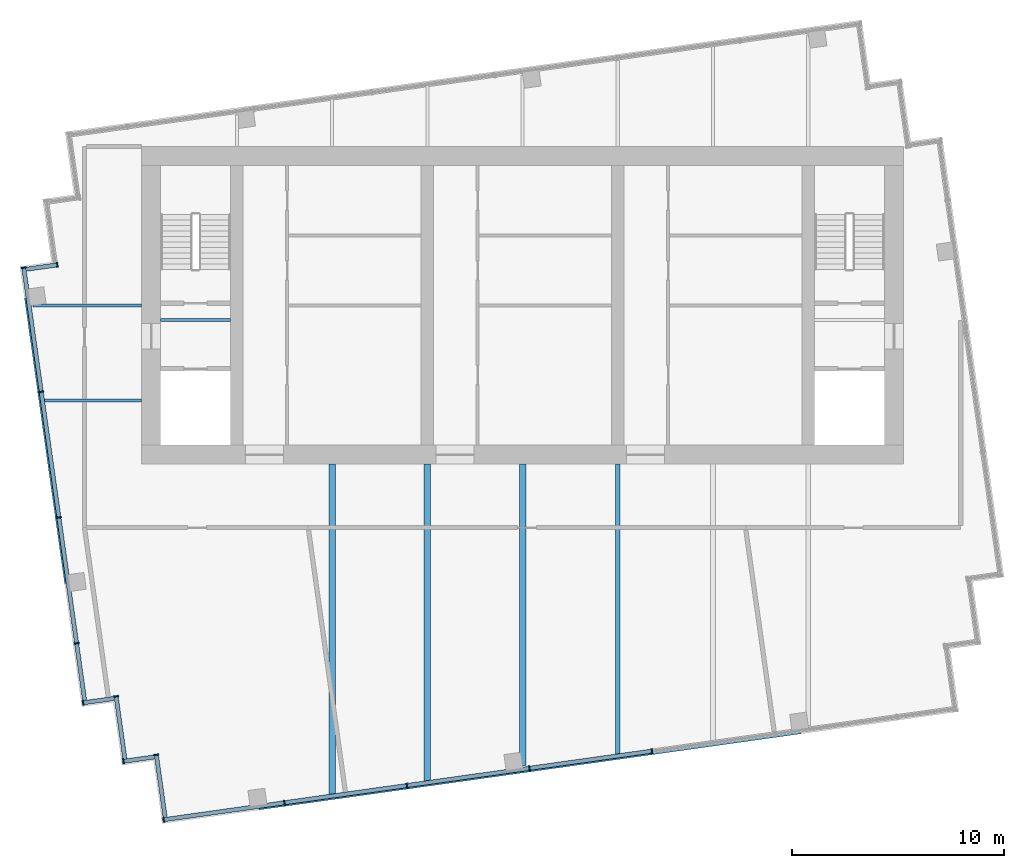
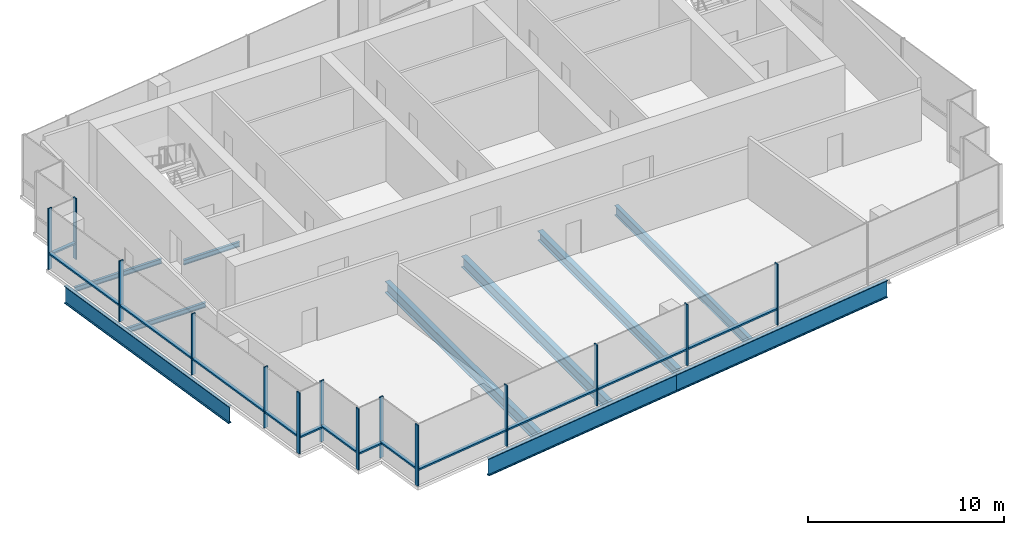
# One storey, part 2 of 9: 27 members, 10 beams, 7 elements without a shape of their own.
"""IFC4 building model written with IfcOpenShell, lengths in metres."""

import ifcopenshell
import ifcopenshell.guid

model = None  # the IFC model being written
_history = None  # IfcOwnerHistory: only IFC2X3 demands one
_inside = {}  # id of a spatial element -> (the spatial element, [elements in it])
_under = {}  # id of a project, library or spatial element -> (it, [spatial elements below it])
_declared = {}  # id of a project -> (the project, [libraries it declares])
_typed = {}  # id of a type object -> (the type object, [elements of that type])
_made_of = {}  # id of a material, layer set ... -> (it, [elements and type objects made of it])


def new_model(schema):
    """Start an empty IFC model of exactly this schema.

    Asked for "IFC4X3", IfcOpenShell would pick the latest addendum, in which some entities
    have other attributes; the version numbers below select the first issue.
    IFC2X3 requires an IfcOwnerHistory on every rooted entity: one is made here for all.
    """
    global model, _history
    if schema == "IFC4X3":
        model = ifcopenshell.file(schema_version=(4, 3, 0, 0))
    else:
        model = ifcopenshell.file(schema=schema)
    _inside.clear()
    _under.clear()
    _declared.clear()
    _typed.clear()
    _made_of.clear()
    _history = None
    if model.schema == "IFC2X3":
        org = make("IfcOrganization", Name="unknown")
        user = make(
            "IfcPersonAndOrganization",
            ThePerson=make("IfcPerson", FamilyName="unknown"),
            TheOrganization=org,
        )
        app = make(
            "IfcApplication",
            ApplicationDeveloper=org,
            Version="unknown",
            ApplicationFullName="unknown",
            ApplicationIdentifier="unknown",
        )
        _history = make(
            "IfcOwnerHistory",
            OwningUser=user,
            OwningApplication=app,
            ChangeAction="ADDED",
            CreationDate=0,
        )
    return model


def make(cls, **values):
    """One entity of the class cls with the attributes given. An attribute that is None is left unset."""
    return model.create_entity(
        cls, **{name: value for name, value in values.items() if value is not None}
    )


def rooted(cls, **values):
    """An entity with a GlobalId (a new one), such as an element, a storey or a relation."""
    return make(cls, GlobalId=ifcopenshell.guid.new(), OwnerHistory=_history, **values)


def si_unit(unit_type, name, prefix=None):
    """IfcSIUnit, for example si_unit("LENGTHUNIT", "METRE", prefix="MILLI")."""
    return make("IfcSIUnit", UnitType=unit_type, Prefix=prefix, Name=name)


def assignment(units):
    """IfcUnitAssignment: the units of a project."""
    return None if units is None else make("IfcUnitAssignment", Units=units)


def point(xyz):
    """IfcCartesianPoint."""
    return None if xyz is None else make("IfcCartesianPoint", Coordinates=xyz)


def direction(xyz):
    """IfcDirection."""
    return None if xyz is None else make("IfcDirection", DirectionRatios=xyz)


def frame(location, z_axis=None, x_axis=None):
    """IfcAxis2Placement3D, a coordinate frame: its origin and axes. An axis left out is left unset."""
    return make(
        "IfcAxis2Placement3D",
        Location=point(location),
        Axis=direction(z_axis),
        RefDirection=direction(x_axis),
    )


def frame_2d(location, x_axis=None):
    """IfcAxis2Placement2D, a coordinate frame in the plane: its origin and x axis."""
    return make(
        "IfcAxis2Placement2D", Location=point(location), RefDirection=direction(x_axis)
    )


def origin():
    """The frame at (0, 0, 0) with its axes left unset."""
    return frame((0.0, 0.0, 0.0))


def origin_2d():
    """The frame at (0, 0) in the plane with its x axis left unset."""
    return frame_2d((0.0, 0.0))


def place(relative_to, where):
    """IfcLocalPlacement: puts the frame where relative to a parent placement (None: the world)."""
    return make(
        "IfcLocalPlacement", PlacementRelTo=relative_to, RelativePlacement=where
    )


def context(
    kind, dimensions, precision=None, world=None, true_north=None, identifier=None
):
    """IfcGeometricRepresentationContext, for example the 3D "Model" context."""
    return make(
        "IfcGeometricRepresentationContext",
        ContextIdentifier=identifier,
        ContextType=kind,
        CoordinateSpaceDimension=dimensions,
        Precision=precision,
        WorldCoordinateSystem=world,
        TrueNorth=true_north,
    )


def subcontext(parent, identifier, kind, view, scale=None):
    """IfcGeometricRepresentationSubContext, for example "Body" below "Model"."""
    return make(
        "IfcGeometricRepresentationSubContext",
        ContextIdentifier=identifier,
        ContextType=kind,
        ParentContext=parent,
        TargetScale=scale,
        TargetView=view,
    )


def project(units=None, contexts=None):
    """IfcProject with its units and contexts."""
    return rooted(
        "IfcProject",
        Name="project",
        RepresentationContexts=contexts,
        UnitsInContext=assignment(units),
    )


def spatial(cls, under=None, at=None, **own):
    """A site, building, storey or space (cls), placed at a placement, below another one or the project."""
    s = rooted(cls, ObjectPlacement=at, **own)
    if under is not None:
        _under.setdefault(under.id(), (under, []))[1].append(s)
    return s


def profile(cls, at=None, kind="AREA", **sizes):
    """A parametric profile (cls). Its sizes go by their IFC names, for example OverallWidth=200.0."""
    return make(cls, ProfileType=kind, Position=at, **sizes)


def rectangle(**sizes):
    """IfcRectangleProfileDef."""
    return profile("IfcRectangleProfileDef", **sizes)


def i_section(**sizes):
    """IfcIShapeProfileDef."""
    return profile("IfcIShapeProfileDef", **sizes)


def extrude(swept, where, along, depth):
    """IfcExtrudedAreaSolid: the profile swept, set in the frame where, extruded along a direction by depth."""
    return make(
        "IfcExtrudedAreaSolid",
        SweptArea=swept,
        Position=where,
        ExtrudedDirection=direction(along),
        Depth=depth,
    )


def shape(context_of_items, identifier, shape_type, items):
    """IfcShapeRepresentation: the items that make up one representation, for example the "Body"."""
    return make(
        "IfcShapeRepresentation",
        ContextOfItems=context_of_items,
        RepresentationIdentifier=identifier,
        RepresentationType=shape_type,
        Items=items,
    )


def material(Name=None, Category=None):
    """IfcMaterial."""
    return make("IfcMaterial", Name=Name, Category=Category)


def layer(
    of_material, thickness, ventilated=None, Name=None, Category=None, Priority=None
):
    """IfcMaterialLayer: one layer of a wall or slab, of a material (None: an air gap)."""
    return make(
        "IfcMaterialLayer",
        Material=of_material,
        LayerThickness=thickness,
        IsVentilated=ventilated,
        Name=Name,
        Category=Category,
        Priority=Priority,
    )


def layer_set(layers, Name=None):
    """IfcMaterialLayerSet."""
    return make("IfcMaterialLayerSet", MaterialLayers=layers, LayerSetName=Name)


def material_profile(
    of_material, cross_section, Name=None, Category=None, Priority=None
):
    """IfcMaterialProfile: a cross section and its material."""
    return make(
        "IfcMaterialProfile",
        Name=Name,
        Material=of_material,
        Profile=cross_section,
        Priority=Priority,
        Category=Category,
    )


def profile_set(profiles, Name=None, composite=None):
    """IfcMaterialProfileSet."""
    return make(
        "IfcMaterialProfileSet",
        Name=Name,
        MaterialProfiles=profiles,
        CompositeProfile=composite,
    )


def made_of(thing, what):
    """Note that an element or type object is made of a material, layer set ...; save() writes the relation."""
    if what is not None:
        _made_of.setdefault(what.id(), (what, []))[1].append(thing)
    return thing


def type_object(cls, material=None, **own):
    """A type object (cls), such as IfcWallType, which elements share."""
    return made_of(rooted(cls, **own), material)


def element(
    cls,
    number,
    at=None,
    inside=None,
    cuts=None,
    type_object=None,
    material=None,
    context=None,
    identifier="Body",
    shape_type=None,
    held_by="IfcProductDefinitionShape",
    body=None,
    shapes=None,
    **own,
):
    """One element of the class cls, such as IfcWall. Its Tag is "e" and its number.

    at: its placement. inside: the storey or other place that contains it. cuts: it is an
    opening in that element (IfcRelVoidsElement). A single representation is given by context,
    identifier, shape_type and body (its items); several are given by shapes. held_by: the class
    of the entity that holds the representations. save() writes the other relations.
    """
    e = rooted(cls, Tag="e%d" % number, ObjectPlacement=at, **own)
    if body is not None:
        shapes = [shape(context, identifier, shape_type, body)]
    if shapes is not None:
        e.Representation = make(held_by, Representations=shapes)
    if inside is not None:
        _inside.setdefault(inside.id(), (inside, []))[1].append(e)
    if cuts is not None:
        rooted(
            "IfcRelVoidsElement", RelatingBuildingElement=cuts, RelatedOpeningElement=e
        )
    if type_object is not None:
        _typed.setdefault(type_object.id(), (type_object, []))[1].append(e)
    return made_of(e, material)


def aggregate(whole, parts):
    """IfcRelAggregates: a whole, such as a stair, and the parts it consists of."""
    return rooted("IfcRelAggregates", RelatingObject=whole, RelatedObjects=parts)


def save(model, path):
    """Write the relations noted so far, then the file.

    IfcRelAggregates (storeys below a building ...), IfcRelContainedInSpatialStructure (elements
    in a storey), IfcRelDefinesByType, IfcRelAssociatesMaterial and IfcRelDeclares: one each for
    every whole, place, type object, material and project.
    """
    for whole, parts in _under.values():
        aggregate(whole, parts)
    for where, things in _inside.values():
        rooted(
            "IfcRelContainedInSpatialStructure",
            RelatedElements=things,
            RelatingStructure=where,
        )
    for kind, things in _typed.values():
        rooted("IfcRelDefinesByType", RelatedObjects=things, RelatingType=kind)
    for what, things in _made_of.values():
        rooted("IfcRelAssociatesMaterial", RelatedObjects=things, RelatingMaterial=what)
    for by, libraries in _declared.values():
        rooted("IfcRelDeclares", RelatingContext=by, RelatedDefinitions=libraries)
    model.write(path)


model = new_model("IFC4")

# Units and contexts
model_context = context("Model", 3, precision=1e-05, world=origin(), true_north=direction((0.0, 1.0)))
body_context = subcontext(model_context, "Body", "Model", "MODEL_VIEW")
ifc_project = project(units=[si_unit("LENGTHUNIT", "METRE"), si_unit("AREAUNIT", "SQUARE_METRE"), si_unit("VOLUMEUNIT", "CUBIC_METRE"), si_unit("PLANEANGLEUNIT", "RADIAN"), si_unit("MASSUNIT", "GRAM", prefix="KILO")], contexts=[model_context])

# Site, building, storey
site_placement = place(None, origin())
site = spatial("IfcSite", under=ifc_project, at=site_placement, CompositionType="ELEMENT")
building_placement = place(site_placement, origin())
building = spatial("IfcBuilding", under=site, at=building_placement, Name="Rattan Terrace Tower", CompositionType="ELEMENT")
storey_placement = place(building_placement, frame((0.0, 0.0, 304.300048828125)))
storey = spatial("IfcBuildingStorey", under=building, at=storey_placement, Name="C04", CompositionType="ELEMENT", Elevation=304.300048828125)

# Beams
ifc_material_1 = material(Name="Steel S460", Category="steel")
ifc_material_profile_1 = material_profile(ifc_material_1, i_section(OverallWidth=0.179931640625, OverallDepth=1.10009765625, WebThickness=0.01611328125, FlangeThickness=0.050048828125, at=origin_2d()), Name="PG 1100x180-16-50")
ifc_profile_set_1 = profile_set([ifc_material_profile_1], Name="Steel S460")
beam_type_1 = type_object("IfcBeamType", Name="Frame edge girder PG 1100x180-16-50", PredefinedType="SPANDREL", material=ifc_profile_set_1)
beam_1_placement = place(storey_placement, frame((-12.45703125, -23.7509765625, -0.75), z_axis=(0.990268332234, 0.139171226104, 0.0), x_axis=(-0.139171226104, 0.990268332234, 0.0)))
element("IfcBeam", 1, at=beam_1_placement, inside=storey, type_object=beam_type_1, Name="gdr-C04-001", PredefinedType="SPANDREL", context=body_context, shape_type="SweptSolid", body=[
    extrude(i_section(OverallWidth=0.179931640625, OverallDepth=1.10009765625, WebThickness=0.01611328125, FlangeThickness=0.050048828125, at=origin_2d()), origin(), (0.0, 0.0, 1.0), 12.21484375),
])
beam_2_placement = place(storey_placement, frame((-0.361083984375, -22.051025390625, -0.75), z_axis=(0.990271390556, 0.139149462974, 0.0), x_axis=(-0.139149462974, 0.990271390556, 0.0)))
element("IfcBeam", 2, at=beam_2_placement, inside=storey, type_object=beam_type_1, Name="gdr-C04-002", PredefinedType="SPANDREL", context=body_context, shape_type="SweptSolid", body=[
    extrude(i_section(OverallWidth=0.179931640625, OverallDepth=1.10009765625, WebThickness=0.01611328125, FlangeThickness=0.050048828125, at=origin_2d()), origin(), (0.0, 0.0, 1.0), 13.632568359375),
])
beam_3_placement = place(storey_placement, frame((-23.448974609375, 0.361083984375, -0.75), z_axis=(0.139219709116, -0.990261517274, 0.0), x_axis=(0.990261517274, 0.139219709116, 0.0)))
element("IfcBeam", 3, at=beam_3_placement, inside=storey, type_object=beam_type_1, Name="gdr-C04-003", PredefinedType="SPANDREL", context=body_context, shape_type="SweptSolid", body=[
    extrude(i_section(OverallWidth=0.179931640625, OverallDepth=1.10009765625, WebThickness=0.01611328125, FlangeThickness=0.050048828125, at=origin_2d()), origin(), (0.0, 0.0, 1.0), 13.6328125),
])
ifc_material_2 = material(Name="Steel S355", Category="steel")
ifc_material_profile_2 = material_profile(ifc_material_2, i_section(OverallWidth=0.300048828125, OverallDepth=0.60009765625, WebThickness=0.015380859375, FlangeThickness=0.030029296875, FilletRadius=0.027099609375, at=origin_2d()), Name="HE 600 B")
ifc_profile_set_2 = profile_set([ifc_material_profile_2], Name="Steel S355")
beam_type_2 = type_object("IfcBeamType", Name="Frame floor beam HE 600 B", PredefinedType="JOIST", material=ifc_profile_set_2)
beam_4_placement = place(storey_placement, frame((0.0, -21.743896484375, -0.5), z_axis=(0.0, 1.0, 0.0), x_axis=(-1.0, 0.0, 0.0)))
element("IfcBeam", 4, at=beam_4_placement, inside=storey, type_object=beam_type_2, Name="bm-C04-005", PredefinedType="JOIST", context=body_context, shape_type="SweptSolid", body=[
    extrude(i_section(OverallWidth=0.300048828125, OverallDepth=0.60009765625, WebThickness=0.015380859375, FlangeThickness=0.030029296875, FilletRadius=0.027099609375, at=origin_2d()), origin(), (0.0, 0.0, 1.0), 14.243896484375),
])
ifc_material_3 = material(Name="Steel S355", Category="steel")
ifc_material_profile_3 = material_profile(ifc_material_3, i_section(OverallWidth=0.300048828125, OverallDepth=0.699951171875, WebThickness=0.01708984375, FlangeThickness=0.031982421875, FilletRadius=0.027099609375, at=origin_2d()), Name="HE 700 B")
ifc_profile_set_3 = profile_set([ifc_material_profile_3], Name="Steel S355")
beam_type_3 = type_object("IfcBeamType", Name="Frame floor beam HE 700 B", PredefinedType="JOIST", material=ifc_profile_set_3)
beam_5_placement = place(storey_placement, frame((-9.0, -23.174072265625, -0.550048828125), z_axis=(0.0, 1.0, 0.0), x_axis=(-1.0, 0.0, 0.0)))
element("IfcBeam", 5, at=beam_5_placement, inside=storey, type_object=beam_type_3, Name="bm-C04-003", PredefinedType="JOIST", context=body_context, shape_type="SweptSolid", body=[
    extrude(i_section(OverallWidth=0.300048828125, OverallDepth=0.699951171875, WebThickness=0.01708984375, FlangeThickness=0.031982421875, FilletRadius=0.027099609375, at=origin_2d()), origin(), (0.0, 0.0, 1.0), 15.674072265625),
])
beam_6_placement = place(storey_placement, frame((-4.5, -22.5419921875, -0.550048828125), z_axis=(0.0, 1.0, 0.0), x_axis=(-1.0, 0.0, 0.0)))
element("IfcBeam", 6, at=beam_6_placement, inside=storey, type_object=beam_type_3, Name="bm-C04-004", PredefinedType="JOIST", context=body_context, shape_type="SweptSolid", body=[
    extrude(i_section(OverallWidth=0.300048828125, OverallDepth=0.699951171875, WebThickness=0.01708984375, FlangeThickness=0.031982421875, FilletRadius=0.027099609375, at=origin_2d()), origin(), (0.0, 0.0, 1.0), 15.0419921875),
])
ifc_material_4 = material(Name="Steel S355", Category="steel")
ifc_material_profile_4 = material_profile(ifc_material_4, i_section(OverallWidth=0.14990234375, OverallDepth=0.300048828125, WebThickness=0.007080078125, FlangeThickness=0.0107421875, FilletRadius=0.014892578125, at=origin_2d()), Name="IPE 300")
ifc_profile_set_4 = profile_set([ifc_material_profile_4], Name="Steel S355")
beam_type_4 = type_object("IfcBeamType", Name="Frame floor beam IPE 300", PredefinedType="JOIST", material=ifc_profile_set_4)
beam_7_placement = place(storey_placement, frame((-17.10009765625, -0.695068359375, -0.35009765625), z_axis=(1.0, 0.0, 0.0), x_axis=(0.0, 1.0, 0.0)))
element("IfcBeam", 7, at=beam_7_placement, inside=storey, type_object=beam_type_4, Name="bm-C04-001", PredefinedType="JOIST", context=body_context, shape_type="SweptSolid", body=[
    extrude(i_section(OverallWidth=0.14990234375, OverallDepth=0.300048828125, WebThickness=0.007080078125, FlangeThickness=0.0107421875, FilletRadius=0.014892578125, at=origin_2d()), origin(), (0.0, 0.0, 1.0), 3.300048828125),
])
beam_8_placement = place(storey_placement, frame((-22.675048828125, -4.5, -0.35009765625), z_axis=(1.0, 0.0, 0.0), x_axis=(0.0, 1.0, 0.0)))
element("IfcBeam", 8, at=beam_8_placement, inside=storey, type_object=beam_type_4, Name="bm-C04-009", PredefinedType="JOIST", context=body_context, shape_type="SweptSolid", body=[
    extrude(i_section(OverallWidth=0.14990234375, OverallDepth=0.300048828125, WebThickness=0.007080078125, FlangeThickness=0.0107421875, FilletRadius=0.014892578125, at=origin_2d()), origin(), (0.0, 0.0, 1.0), 4.675048828125),
])
beam_9_placement = place(storey_placement, frame((-23.14111328125, 0.0, -0.35009765625), z_axis=(1.0, 0.0, 0.0), x_axis=(0.0, 1.0, 0.0)))
element("IfcBeam", 9, at=beam_9_placement, inside=storey, type_object=beam_type_4, Name="bm-C04-010", PredefinedType="JOIST", context=body_context, shape_type="SweptSolid", body=[
    extrude(i_section(OverallWidth=0.14990234375, OverallDepth=0.300048828125, WebThickness=0.007080078125, FlangeThickness=0.0107421875, FilletRadius=0.014892578125, at=origin_2d()), origin(), (0.0, 0.0, 1.0), 5.14111328125),
])
ifc_material_5 = material(Name="Steel S355", Category="steel")
ifc_material_profile_5 = material_profile(ifc_material_5, i_section(OverallWidth=0.22412109375, OverallDepth=0.610107421875, WebThickness=0.014892578125, FlangeThickness=0.02392578125, FilletRadius=0.02392578125, at=origin_2d()), Name="IPE O 600")
ifc_profile_set_5 = profile_set([ifc_material_profile_5], Name="Steel S355")
beam_type_5 = type_object("IfcBeamType", Name="Frame floor beam IPE O 600", PredefinedType="JOIST", material=ifc_profile_set_5)
beam_10_placement = place(storey_placement, frame((4.5, -21.277099609375, -0.505126953125), z_axis=(0.0, 1.0, 0.0), x_axis=(-1.0, 0.0, 0.0)))
element("IfcBeam", 10, at=beam_10_placement, inside=storey, type_object=beam_type_5, Name="bm-C04-006", PredefinedType="JOIST", context=body_context, shape_type="SweptSolid", body=[
    extrude(i_section(OverallWidth=0.22412109375, OverallDepth=0.610107421875, WebThickness=0.014892578125, FlangeThickness=0.02392578125, FilletRadius=0.02392578125, at=origin_2d()), origin(), (0.0, 0.0, 1.0), 13.777099609375),
])

# Curtain wall, members
ifc_material_6 = material(Name="Aluminium and laminated glass", Category="aluminium")
ifc_layer = layer(ifc_material_6, 0.239990234375)
ifc_layer_set = layer_set([ifc_layer], Name="Lantern Stick Curtain Wall")
curtain_wall_type = type_object("IfcCurtainWallType", Name="Lantern Stick Curtain Wall", PredefinedType="NOTDEFINED", material=ifc_layer_set)
curtain_wall_1_placement = place(storey_placement, origin())
curtain_wall_1 = element("IfcCurtainWall", 11, at=curtain_wall_1_placement, inside=storey, type_object=curtain_wall_type, Name="Lantern curtain wall C04-1", PredefinedType="NOTDEFINED")
ifc_material_7 = material(Name="Aluminium", Category="aluminium")
ifc_material_profile_6 = material_profile(ifc_material_7, rectangle(XDim=0.070068359375, YDim=0.239990234375, at=origin_2d()), Name="Aluminium 70x240")
ifc_profile_set_6 = profile_set([ifc_material_profile_6], Name="Aluminium")
member_type_1 = type_object("IfcMemberType", Name="Lantern CW Mullion 70x240", PredefinedType="MULLION", material=ifc_profile_set_6)
member_1_placement = place(storey_placement, frame((-23.56689453125, 1.776611328125, 0.0), z_axis=(0.0, 0.0, 1.0), x_axis=(0.139187707455, -0.990266015823, 0.0)))
member_1 = element("IfcMember", 12, at=member_1_placement, type_object=member_type_1, Name="Mullion cwl-C04-001.1", PredefinedType="MULLION", context=body_context, shape_type="SweptSolid", body=[
    extrude(rectangle(XDim=0.070068359375, YDim=0.239990234375, at=origin_2d()), origin(), (0.0, 0.0, 1.0), 3.800048828125),
])
member_2_placement = place(storey_placement, frame((-22.74365234375, -4.080810546875, 0.0), z_axis=(0.0, 0.0, 1.0), x_axis=(0.139187707455, -0.990266015823, 0.0)))
member_2 = element("IfcMember", 13, at=member_2_placement, type_object=member_type_1, Name="Mullion cwl-C04-001.2", PredefinedType="MULLION", context=body_context, shape_type="SweptSolid", body=[
    extrude(rectangle(XDim=0.070068359375, YDim=0.239990234375, at=origin_2d()), origin(), (0.0, 0.0, 1.0), 3.800048828125),
])
member_3_placement = place(storey_placement, frame((-21.908447265625, -10.0224609375, 0.0), z_axis=(0.0, 0.0, 1.0), x_axis=(0.139187707455, -0.990266015823, 0.0)))
member_3 = element("IfcMember", 14, at=member_3_placement, type_object=member_type_1, Name="Mullion cwl-C04-001.3", PredefinedType="MULLION", context=body_context, shape_type="SweptSolid", body=[
    extrude(rectangle(XDim=0.070068359375, YDim=0.239990234375, at=origin_2d()), origin(), (0.0, 0.0, 1.0), 3.800048828125),
])
member_4_placement = place(storey_placement, frame((-21.0732421875, -15.964111328125, 0.0), z_axis=(0.0, 0.0, 1.0), x_axis=(0.139187707455, -0.990266015823, 0.0)))
member_4 = element("IfcMember", 15, at=member_4_placement, type_object=member_type_1, Name="Mullion cwl-C04-001.4", PredefinedType="MULLION", context=body_context, shape_type="SweptSolid", body=[
    extrude(rectangle(XDim=0.070068359375, YDim=0.239990234375, at=origin_2d()), origin(), (0.0, 0.0, 1.0), 3.800048828125),
])

# Curtain wall, member
curtain_wall_2_placement = place(storey_placement, origin())
curtain_wall_2 = element("IfcCurtainWall", 16, at=curtain_wall_2_placement, inside=storey, type_object=curtain_wall_type, Name="Lantern curtain wall C04-2", PredefinedType="NOTDEFINED")
member_5_placement = place(storey_placement, frame((-20.763427734375, -18.77880859375, 0.0), z_axis=(0.0, 0.0, 1.0), x_axis=(0.990227803001, 0.139459306479, 0.0)))
member_5 = element("IfcMember", 17, at=member_5_placement, type_object=member_type_1, Name="Mullion cwl-C04-002.1", PredefinedType="MULLION", context=body_context, shape_type="SweptSolid", body=[
    extrude(rectangle(XDim=0.070068359375, YDim=0.239990234375, at=origin_2d()), origin(), (0.0, 0.0, 1.0), 3.800048828125),
])

curtain_wall_3_placement = place(storey_placement, origin())
curtain_wall_3 = element("IfcCurtainWall", 18, at=curtain_wall_3_placement, inside=storey, type_object=curtain_wall_type, Name="Lantern curtain wall C04-3", PredefinedType="NOTDEFINED")
member_6_placement = place(storey_placement, frame((-19.207275390625, -18.473876953125, 0.0), z_axis=(0.0, 0.0, 1.0), x_axis=(0.139555918709, -0.990214191755, 0.0)))
member_6 = element("IfcMember", 19, at=member_6_placement, type_object=member_type_1, Name="Mullion cwl-C04-003.1", PredefinedType="MULLION", context=body_context, shape_type="SweptSolid", body=[
    extrude(rectangle(XDim=0.070068359375, YDim=0.239990234375, at=origin_2d()), origin(), (0.0, 0.0, 1.0), 3.800048828125),
])

curtain_wall_4_placement = place(storey_placement, origin())
curtain_wall_4 = element("IfcCurtainWall", 20, at=curtain_wall_4_placement, inside=storey, type_object=curtain_wall_type, Name="Lantern curtain wall C04-4", PredefinedType="NOTDEFINED")
member_7_placement = place(storey_placement, frame((-18.860595703125, -21.54296875, 0.0), z_axis=(0.0, 0.0, 1.0), x_axis=(0.990319742912, 0.13880492354, 0.0)))
member_7 = element("IfcMember", 21, at=member_7_placement, type_object=member_type_1, Name="Mullion cwl-C04-004.1", PredefinedType="MULLION", context=body_context, shape_type="SweptSolid", body=[
    extrude(rectangle(XDim=0.070068359375, YDim=0.239990234375, at=origin_2d()), origin(), (0.0, 0.0, 1.0), 3.800048828125),
])

curtain_wall_5_placement = place(storey_placement, origin())
curtain_wall_5 = element("IfcCurtainWall", 22, at=curtain_wall_5_placement, inside=storey, type_object=curtain_wall_type, Name="Lantern curtain wall C04-5", PredefinedType="NOTDEFINED")
member_8_placement = place(storey_placement, frame((-17.30419921875, -21.239013671875, 0.0), z_axis=(0.0, 0.0, 1.0), x_axis=(0.139413247769, -0.990234288614, 0.0)))
member_8 = element("IfcMember", 23, at=member_8_placement, type_object=member_type_1, Name="Mullion cwl-C04-005.1", PredefinedType="MULLION", context=body_context, shape_type="SweptSolid", body=[
    extrude(rectangle(XDim=0.070068359375, YDim=0.239990234375, at=origin_2d()), origin(), (0.0, 0.0, 1.0), 3.800048828125),
])

# Curtain wall, members
curtain_wall_6_placement = place(storey_placement, origin())
curtain_wall_6 = element("IfcCurtainWall", 24, at=curtain_wall_6_placement, inside=storey, type_object=curtain_wall_type, Name="Lantern curtain wall C04-6", PredefinedType="NOTDEFINED")
member_9_placement = place(storey_placement, frame((-16.95849609375, -24.3037109375, 0.0), z_axis=(0.0, 0.0, 1.0), x_axis=(0.990266952226, 0.13918104515, 0.0)))
member_9 = element("IfcMember", 25, at=member_9_placement, type_object=member_type_1, Name="Mullion cwl-C04-006.1", PredefinedType="MULLION", context=body_context, shape_type="SweptSolid", body=[
    extrude(rectangle(XDim=0.070068359375, YDim=0.239990234375, at=origin_2d()), origin(), (0.0, 0.0, 1.0), 3.800048828125),
])
member_10_placement = place(storey_placement, frame((-11.253662109375, -23.501953125, 0.0), z_axis=(0.0, 0.0, 1.0), x_axis=(0.990266952226, 0.13918104515, 0.0)))
member_10 = element("IfcMember", 26, at=member_10_placement, type_object=member_type_1, Name="Mullion cwl-C04-006.2", PredefinedType="MULLION", context=body_context, shape_type="SweptSolid", body=[
    extrude(rectangle(XDim=0.070068359375, YDim=0.239990234375, at=origin_2d()), origin(), (0.0, 0.0, 1.0), 3.800048828125),
])
member_11_placement = place(storey_placement, frame((-5.464599609375, -22.6884765625, 0.0), z_axis=(0.0, 0.0, 1.0), x_axis=(0.990266952226, 0.13918104515, 0.0)))
member_11 = element("IfcMember", 27, at=member_11_placement, type_object=member_type_1, Name="Mullion cwl-C04-006.3", PredefinedType="MULLION", context=body_context, shape_type="SweptSolid", body=[
    extrude(rectangle(XDim=0.070068359375, YDim=0.239990234375, at=origin_2d()), origin(), (0.0, 0.0, 1.0), 3.800048828125),
])
member_12_placement = place(storey_placement, frame((0.32470703125, -21.874755859375, 0.0), z_axis=(0.0, 0.0, 1.0), x_axis=(0.990266952226, 0.13918104515, 0.0)))
member_12 = element("IfcMember", 28, at=member_12_placement, type_object=member_type_1, Name="Mullion cwl-C04-006.4", PredefinedType="MULLION", context=body_context, shape_type="SweptSolid", body=[
    extrude(rectangle(XDim=0.070068359375, YDim=0.239990234375, at=origin_2d()), origin(), (0.0, 0.0, 1.0), 3.800048828125),
])
member_13_placement = place(storey_placement, frame((6.11376953125, -21.06103515625, 0.0), z_axis=(0.0, 0.0, 1.0), x_axis=(0.990266952226, 0.13918104515, 0.0)))
member_13 = element("IfcMember", 29, at=member_13_placement, type_object=member_type_1, Name="Mullion cwl-C04-006.5", PredefinedType="MULLION", context=body_context, shape_type="SweptSolid", body=[
    extrude(rectangle(XDim=0.070068359375, YDim=0.239990234375, at=origin_2d()), origin(), (0.0, 0.0, 1.0), 3.800048828125),
])

# Curtain wall, member
curtain_wall_7_placement = place(storey_placement, origin())
curtain_wall_7 = element("IfcCurtainWall", 30, at=curtain_wall_7_placement, inside=storey, type_object=curtain_wall_type, Name="Lantern curtain wall C04-20", PredefinedType="NOTDEFINED")
member_14_placement = place(storey_placement, frame((-21.98486328125, 1.9130859375, 0.0), z_axis=(0.0, 0.0, 1.0), x_axis=(-0.99025370695, -0.139275252184, 0.0)))
member_14 = element("IfcMember", 31, at=member_14_placement, type_object=member_type_1, Name="Mullion cwl-C04-020.1", PredefinedType="MULLION", context=body_context, shape_type="SweptSolid", body=[
    extrude(rectangle(XDim=0.070068359375, YDim=0.239990234375, at=origin_2d()), origin(), (0.0, 0.0, 1.0), 3.800048828125),
])

# Member
ifc_material_8 = material(Name="Aluminium", Category="aluminium")
ifc_material_profile_7 = material_profile(ifc_material_8, rectangle(XDim=0.199951171875, YDim=0.10009765625, at=origin_2d()), Name="Aluminium 200x100")
ifc_profile_set_7 = profile_set([ifc_material_profile_7], Name="Aluminium")
member_type_2 = type_object("IfcMemberType", Name="Lantern CW Transom 200x100", PredefinedType="USERDEFINED", material=ifc_profile_set_7)
member_15_placement = place(storey_placement, frame((-23.56201171875, 1.741943359375, 1.0), z_axis=(0.139216432116, -0.990261977978, 0.0), x_axis=(0.990261977978, 0.139216432116, 0.0)))
member_15 = element("IfcMember", 32, at=member_15_placement, type_object=member_type_2, Name="Transom cwl-C04-001.1", ObjectType="TRANSOM", PredefinedType="USERDEFINED", context=body_context, shape_type="SweptSolid", body=[
    extrude(rectangle(XDim=0.199951171875, YDim=0.10009765625, at=origin_2d()), origin(), (0.0, 0.0, 1.0), 5.844970703125),
])

member_16_placement = place(storey_placement, frame((-22.73876953125, -4.115478515625, 1.0), z_axis=(0.139196165956, -0.990264826894, 0.0), x_axis=(0.990264826894, 0.139196165956, 0.0)))
member_16 = element("IfcMember", 33, at=member_16_placement, type_object=member_type_2, Name="Transom cwl-C04-001.2", ObjectType="TRANSOM", PredefinedType="USERDEFINED", context=body_context, shape_type="SweptSolid", body=[
    extrude(rectangle(XDim=0.199951171875, YDim=0.10009765625, at=origin_2d()), origin(), (0.0, 0.0, 1.0), 5.929931640625),
])

member_17_placement = place(storey_placement, frame((-21.903564453125, -10.05712890625, 1.0), z_axis=(0.139196165956, -0.990264826894, 0.0), x_axis=(0.990264826894, 0.139196165956, 0.0)))
member_17 = element("IfcMember", 34, at=member_17_placement, type_object=member_type_2, Name="Transom cwl-C04-001.3", ObjectType="TRANSOM", PredefinedType="USERDEFINED", context=body_context, shape_type="SweptSolid", body=[
    extrude(rectangle(XDim=0.199951171875, YDim=0.10009765625, at=origin_2d()), origin(), (0.0, 0.0, 1.0), 5.929931640625),
])

member_18_placement = place(storey_placement, frame((-21.068359375, -15.998779296875, 1.0), z_axis=(0.139159755343, -0.990269944254, 0.0), x_axis=(0.990269944254, 0.139159755343, 0.0)))
member_18 = element("IfcMember", 35, at=member_18_placement, type_object=member_type_2, Name="Transom cwl-C04-001.4", ObjectType="TRANSOM", PredefinedType="USERDEFINED", context=body_context, shape_type="SweptSolid", body=[
    extrude(rectangle(XDim=0.199951171875, YDim=0.10009765625, at=origin_2d()), origin(), (0.0, 0.0, 1.0), 2.675537109375),
])

aggregate(curtain_wall_1, [member_1, member_2, member_3, member_4, member_15, member_16, member_17, member_18])

member_19_placement = place(storey_placement, frame((-20.728759765625, -18.77392578125, 1.0), z_axis=(0.990227834808, 0.139459080636, 0.0), x_axis=(-0.139459080636, 0.990227834808, 0.0)))
member_19 = element("IfcMember", 36, at=member_19_placement, type_object=member_type_2, Name="Transom cwl-C04-002.1", ObjectType="TRANSOM", PredefinedType="USERDEFINED", context=body_context, shape_type="SweptSolid", body=[
    extrude(rectangle(XDim=0.199951171875, YDim=0.10009765625, at=origin_2d()), origin(), (0.0, 0.0, 1.0), 1.428466796875),
])

aggregate(curtain_wall_2, [member_5, member_19])

member_20_placement = place(storey_placement, frame((-19.202392578125, -18.508544921875, 1.0), z_axis=(0.139532909028, -0.990217434354, 0.0), x_axis=(0.990217434354, 0.139532909028, 0.0)))
member_20 = element("IfcMember", 37, at=member_20_placement, type_object=member_type_2, Name="Transom cwl-C04-003.1", ObjectType="TRANSOM", PredefinedType="USERDEFINED", context=body_context, shape_type="SweptSolid", body=[
    extrude(rectangle(XDim=0.199951171875, YDim=0.10009765625, at=origin_2d()), origin(), (0.0, 0.0, 1.0), 2.9326171875),
])

aggregate(curtain_wall_3, [member_6, member_20])

member_21_placement = place(storey_placement, frame((-18.825927734375, -21.5380859375, 1.0), z_axis=(0.990301815941, 0.13893276555, 0.0), x_axis=(-0.13893276555, 0.990301815941, 0.0)))
member_21 = element("IfcMember", 38, at=member_21_placement, type_object=member_type_2, Name="Transom cwl-C04-004.1", ObjectType="TRANSOM", PredefinedType="USERDEFINED", context=body_context, shape_type="SweptSolid", body=[
    extrude(rectangle(XDim=0.199951171875, YDim=0.10009765625, at=origin_2d()), origin(), (0.0, 0.0, 1.0), 1.4287109375),
])

aggregate(curtain_wall_4, [member_7, member_21])

member_22_placement = place(storey_placement, frame((-17.29931640625, -21.2734375, 1.0), z_axis=(0.139401737802, -0.990235909013, 0.0), x_axis=(0.990235909013, 0.139401737802, 0.0)))
member_22 = element("IfcMember", 39, at=member_22_placement, type_object=member_type_2, Name="Transom cwl-C04-005.1", ObjectType="TRANSOM", PredefinedType="USERDEFINED", context=body_context, shape_type="SweptSolid", body=[
    extrude(rectangle(XDim=0.199951171875, YDim=0.10009765625, at=origin_2d()), origin(), (0.0, 0.0, 1.0), 2.92822265625),
])

aggregate(curtain_wall_5, [member_8, member_22])

member_23_placement = place(storey_placement, frame((-16.923828125, -24.299072265625, 1.0), z_axis=(0.990262771001, 0.139210791141, 0.0), x_axis=(-0.139210791141, 0.990262771001, 0.0)))
member_23 = element("IfcMember", 40, at=member_23_placement, type_object=member_type_2, Name="Transom cwl-C04-006.1", ObjectType="TRANSOM", PredefinedType="USERDEFINED", context=body_context, shape_type="SweptSolid", body=[
    extrude(rectangle(XDim=0.199951171875, YDim=0.10009765625, at=origin_2d()), origin(), (0.0, 0.0, 1.0), 5.69091796875),
])

member_24_placement = place(storey_placement, frame((-11.218994140625, -23.4970703125, 1.0), z_axis=(0.990265684123, 0.139190067348, 0.0), x_axis=(-0.139190067348, 0.990265684123, 0.0)))
member_24 = element("IfcMember", 41, at=member_24_placement, type_object=member_type_2, Name="Transom cwl-C04-006.2", ObjectType="TRANSOM", PredefinedType="USERDEFINED", context=body_context, shape_type="SweptSolid", body=[
    extrude(rectangle(XDim=0.199951171875, YDim=0.10009765625, at=origin_2d()), origin(), (0.0, 0.0, 1.0), 5.77587890625),
])

member_25_placement = place(storey_placement, frame((-5.429931640625, -22.68359375, 1.0), z_axis=(0.990266502976, 0.139184241508, 0.0), x_axis=(-0.139184241508, 0.990266502976, 0.0)))
member_25 = element("IfcMember", 42, at=member_25_placement, type_object=member_type_2, Name="Transom cwl-C04-006.3", ObjectType="TRANSOM", PredefinedType="USERDEFINED", context=body_context, shape_type="SweptSolid", body=[
    extrude(rectangle(XDim=0.199951171875, YDim=0.10009765625, at=origin_2d()), origin(), (0.0, 0.0, 1.0), 5.776123046875),
])

member_26_placement = place(storey_placement, frame((0.359375, -21.869873046875, 1.0), z_axis=(0.990265684123, 0.139190067348, 0.0), x_axis=(-0.139190067348, 0.990265684123, 0.0)))
member_26 = element("IfcMember", 43, at=member_26_placement, type_object=member_type_2, Name="Transom cwl-C04-006.4", ObjectType="TRANSOM", PredefinedType="USERDEFINED", context=body_context, shape_type="SweptSolid", body=[
    extrude(rectangle(XDim=0.199951171875, YDim=0.10009765625, at=origin_2d()), origin(), (0.0, 0.0, 1.0), 5.77587890625),
])

aggregate(curtain_wall_6, [member_9, member_10, member_11, member_12, member_13, member_23, member_24, member_25, member_26])

member_27_placement = place(storey_placement, frame((-22.01953125, 1.908203125, 1.0), z_axis=(-0.990257681856, -0.139246987488, 0.0), x_axis=(0.139246987488, -0.990257681856, 0.0)))
member_27 = element("IfcMember", 44, at=member_27_placement, type_object=member_type_2, Name="Transom cwl-C04-020.1", ObjectType="TRANSOM", PredefinedType="USERDEFINED", context=body_context, shape_type="SweptSolid", body=[
    extrude(rectangle(XDim=0.199951171875, YDim=0.10009765625, at=origin_2d()), origin(), (0.0, 0.0, 1.0), 1.4306640625),
])

aggregate(curtain_wall_7, [member_14, member_27])

save(model, "model.ifc")
